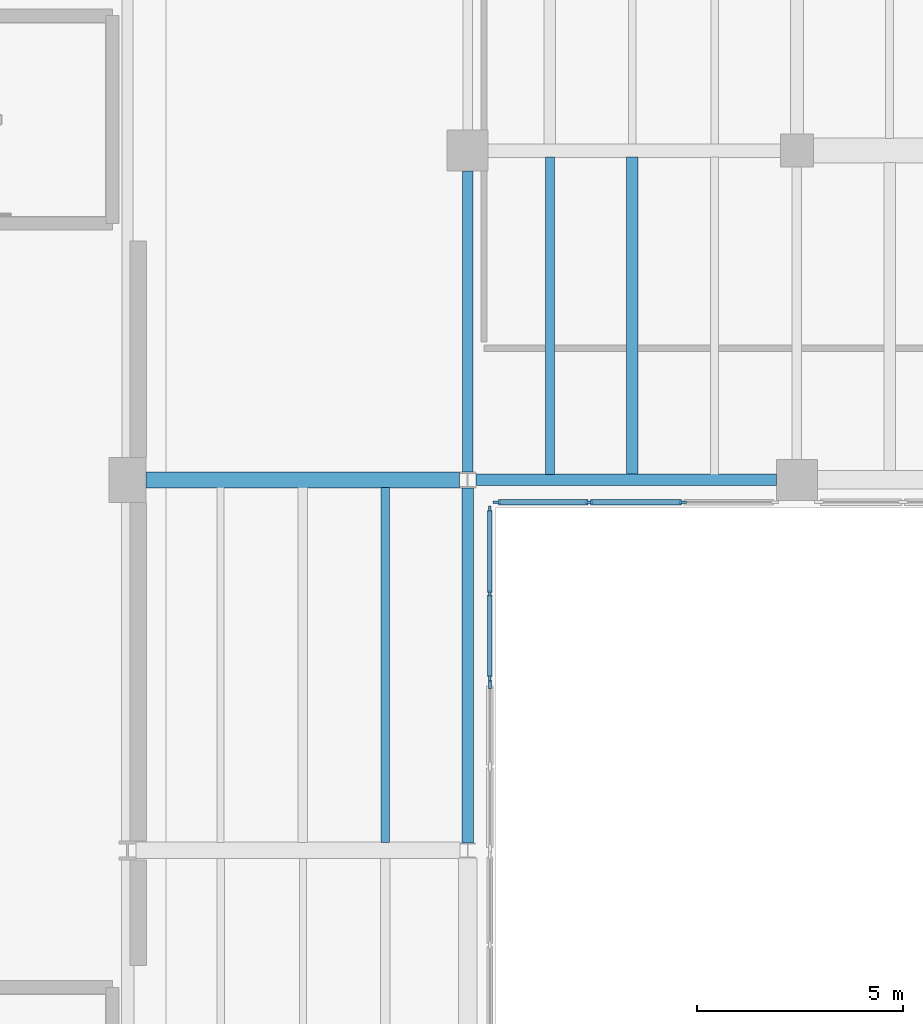
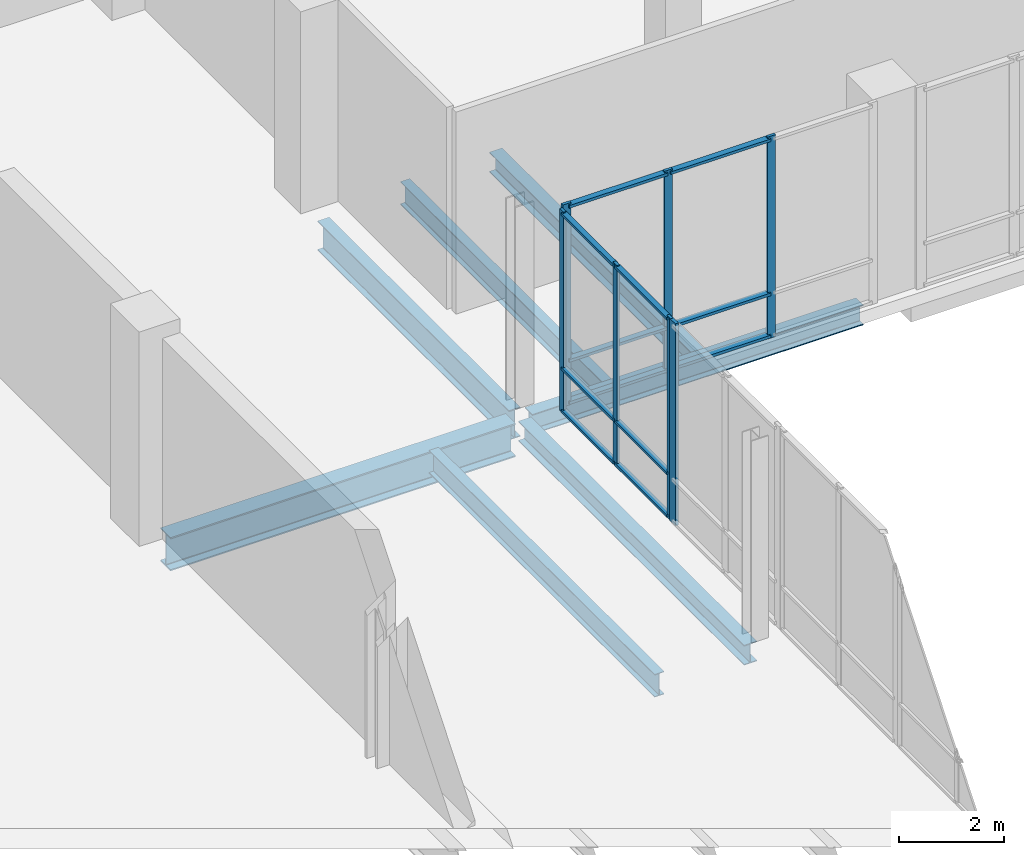
# One storey, part 38 of 73: 19 members, 7 beams, 3 elements without a shape of their own.
"""IFC4 building model written with IfcOpenShell, lengths in metres."""

from ifc_helpers import new_model, si_unit, direction, frame, origin, origin_2d, place, context, subcontext, project, spatial, rectangle, i_section, extrude, material, material_profile, profile_set, type_object, element, aggregate, save


model = new_model("IFC4")

# Units and contexts
model_context = context("Model", 3, precision=1e-05, world=origin(), true_north=direction((0.0, 1.0)))
body_context = subcontext(model_context, "Body", "Model", "MODEL_VIEW")
ifc_project = project(units=[si_unit("LENGTHUNIT", "METRE"), si_unit("AREAUNIT", "SQUARE_METRE"), si_unit("VOLUMEUNIT", "CUBIC_METRE"), si_unit("PLANEANGLEUNIT", "RADIAN"), si_unit("MASSUNIT", "GRAM", prefix="KILO")], contexts=[model_context])

# Site, building, storey
site_placement = place(None, origin())
site = spatial("IfcSite", under=ifc_project, at=site_placement, CompositionType="ELEMENT")
building_placement = place(site_placement, origin())
building = spatial("IfcBuilding", under=site, at=building_placement, Name="Trimount Lyric Opera House", CompositionType="ELEMENT")
storey_placement = place(building_placement, frame((0.0, 0.0, 10.0)))
storey = spatial("IfcBuildingStorey", under=building, at=storey_placement, Name="L02", CompositionType="ELEMENT", Elevation=10.0)

# Beams
ifc_material_1 = material(Name="Steel ASTM A992 Grade 50", Category="steel")
ifc_material_profile_1 = material_profile(ifc_material_1, i_section(OverallWidth=0.382080078125, OverallDepth=0.779052734375, WebThickness=0.01806640625, FlangeThickness=0.0302734375, FilletRadius=0.01904296875, at=origin_2d()), Name="W30X191")
ifc_profile_set_1 = profile_set([ifc_material_profile_1], Name="Steel ASTM A992 Grade 50")
beam_type_1 = type_object("IfcBeamType", Name="B-06", PredefinedType="BEAM", material=ifc_profile_set_1)
beam_1_placement = place(storey_placement, frame((114.18994140625, 102.0, -0.714599609375), z_axis=(1.0, 0.0, 0.0), x_axis=(0.0, 1.0, 0.0)))
element("IfcBeam", 1, at=beam_1_placement, inside=storey, type_object=beam_type_1, Name="L02 girder X-0794", PredefinedType="BEAM", context=body_context, shape_type="SweptSolid", body=[
    extrude(i_section(OverallWidth=0.382080078125, OverallDepth=0.779052734375, WebThickness=0.01806640625, FlangeThickness=0.0302734375, FilletRadius=0.01904296875, at=origin_2d()), origin(), (0.0, 0.0, 1.0), 7.610595703125),
])
ifc_material_2 = material(Name="Steel ASTM A992 Grade 50", Category="steel")
ifc_material_profile_2 = material_profile(ifc_material_2, i_section(OverallWidth=0.25390625, OverallDepth=0.68798828125, WebThickness=0.01318359375, FlangeThickness=0.02099609375, FilletRadius=0.01611328125, at=origin_2d()), Name="W27X102")
ifc_profile_set_2 = profile_set([ifc_material_profile_2], Name="Steel ASTM A992 Grade 50")
beam_type_2 = type_object("IfcBeamType", Name="B-09", PredefinedType="BEAM", material=ifc_profile_set_2)
beam_2_placement = place(storey_placement, frame((122.0, 102.193115234375, -0.634033203125), z_axis=(0.0, 1.0, 0.0), x_axis=(-1.0, 0.0, 0.0)))
element("IfcBeam", 2, at=beam_2_placement, inside=storey, type_object=beam_type_2, Name="L02 girder Y-0901", PredefinedType="BEAM", context=body_context, shape_type="SweptSolid", body=[
    extrude(i_section(OverallWidth=0.25390625, OverallDepth=0.68798828125, WebThickness=0.01318359375, FlangeThickness=0.02099609375, FilletRadius=0.01611328125, at=origin_2d()), origin(), (0.0, 0.0, 1.0), 7.306884765625),
])
ifc_material_3 = material(Name="Steel ASTM A992 Grade 50", Category="steel")
ifc_material_profile_3 = material_profile(ifc_material_3, i_section(OverallWidth=0.2099609375, OverallDepth=0.532958984375, WebThickness=0.01025390625, FlangeThickness=0.015625, FilletRadius=0.012939453125, at=origin_2d()), Name="W21X62")
ifc_profile_set_3 = profile_set([ifc_material_profile_3], Name="Steel ASTM A992 Grade 50")
beam_type_3 = type_object("IfcBeamType", Name="J-02", PredefinedType="BEAM", material=ifc_profile_set_3)
beam_3_placement = place(storey_placement, frame((120.0, 93.196533203125, -0.556396484375), z_axis=(0.0, 1.0, 0.0), x_axis=(-1.0, 0.0, 0.0)))
element("IfcBeam", 3, at=beam_3_placement, inside=storey, type_object=beam_type_3, Name="L02 composite floor joist 0922", PredefinedType="BEAM", context=body_context, shape_type="SweptSolid", body=[
    extrude(i_section(OverallWidth=0.2099609375, OverallDepth=0.532958984375, WebThickness=0.01025390625, FlangeThickness=0.015625, FilletRadius=0.012939453125, at=origin_2d()), origin(), (0.0, 0.0, 1.0), 8.616455078125),
])
beam_4_placement = place(storey_placement, frame((124.0, 102.136962890625, -0.556396484375), z_axis=(0.0, 1.0, 0.0), x_axis=(-1.0, 0.0, 0.0)))
element("IfcBeam", 4, at=beam_4_placement, inside=storey, type_object=beam_type_3, Name="L02 composite floor joist 0926", PredefinedType="BEAM", context=body_context, shape_type="SweptSolid", body=[
    extrude(i_section(OverallWidth=0.2099609375, OverallDepth=0.532958984375, WebThickness=0.01025390625, FlangeThickness=0.015625, FilletRadius=0.012939453125, at=origin_2d()), origin(), (0.0, 0.0, 1.0), 7.703125),
])
ifc_material_4 = material(Name="Steel ASTM A992 Grade 50", Category="steel")
ifc_material_profile_4 = material_profile(ifc_material_4, i_section(OverallWidth=0.281982421875, OverallDepth=0.467041015625, WebThickness=0.01220703125, FlangeThickness=0.01953125, FilletRadius=0.012939453125, at=origin_2d()), Name="W18X86")
ifc_profile_set_4 = profile_set([ifc_material_profile_4], Name="Steel ASTM A992 Grade 50")
beam_type_4 = type_object("IfcBeamType", Name="J-03", PredefinedType="BEAM", material=ifc_profile_set_4)
beam_5_placement = place(storey_placement, frame((126.0, 102.136962890625, -0.5234375), z_axis=(0.0, 1.0, 0.0), x_axis=(-1.0, 0.0, 0.0)))
element("IfcBeam", 5, at=beam_5_placement, inside=storey, type_object=beam_type_4, Name="L02 composite floor joist 0927", PredefinedType="BEAM", context=body_context, shape_type="SweptSolid", body=[
    extrude(i_section(OverallWidth=0.281982421875, OverallDepth=0.467041015625, WebThickness=0.01220703125, FlangeThickness=0.01953125, FilletRadius=0.012939453125, at=origin_2d()), origin(), (0.0, 0.0, 1.0), 7.703125),
])

# Curtain wall, member
ifc_material_5 = material(Name="Thermally Broken Aluminium and Low-E Glass", Category="aluminium")
curtain_wall_type = type_object("IfcCurtainWallType", Name="CW-03", PredefinedType="NOTDEFINED", material=ifc_material_5)
curtain_wall_1_placement = place(storey_placement, origin())
curtain_wall_1 = element("IfcCurtainWall", 6, at=curtain_wall_1_placement, inside=storey, type_object=curtain_wall_type, Name="L02 curtain wall 240", PredefinedType="NOTDEFINED")
ifc_material_6 = material(Name="Anodised Aluminium 6063-T6", Category="aluminium")
ifc_material_profile_5 = material_profile(ifc_material_6, rectangle(XDim=0.070068359375, YDim=0.219970703125, at=origin_2d()), Name="ALU-MULL-70X220")
ifc_profile_set_5 = profile_set([ifc_material_profile_5], Name="Anodised Aluminium 6063-T6")
member_type_1 = type_object("IfcMemberType", Name="ML-01", PredefinedType="MULLION", material=ifc_profile_set_5)
member_1_placement = place(storey_placement, frame((122.5400390625, 97.034912109375, 0.0), z_axis=(0.0, 0.0, 1.0), x_axis=(1.0, 0.0, 0.0)))
member_1 = element("IfcMember", 7, at=member_1_placement, type_object=member_type_1, Name="CW-03 mullion 1", PredefinedType="MULLION", context=body_context, shape_type="SweptSolid", body=[
    extrude(rectangle(XDim=0.070068359375, YDim=0.219970703125, at=origin_2d()), origin(), (0.0, 0.0, 1.0), 4.7099609375),
])
aggregate(curtain_wall_1, [member_1])

# Curtain wall, members
curtain_wall_2_placement = place(storey_placement, origin())
curtain_wall_2 = element("IfcCurtainWall", 8, at=curtain_wall_2_placement, inside=storey, type_object=curtain_wall_type, Name="L02 curtain wall 238", PredefinedType="NOTDEFINED")
ifc_material_7 = material(Name="Anodised Aluminium 6063-T6", Category="aluminium")
ifc_material_profile_6 = material_profile(ifc_material_7, rectangle(XDim=0.06494140625, YDim=0.179931640625, at=origin_2d()), Name="ALU-MULL-65X180")
ifc_profile_set_6 = profile_set([ifc_material_profile_6], Name="Anodised Aluminium 6063-T6")
member_type_2 = type_object("IfcMemberType", Name="ML-02", PredefinedType="MULLION", material=ifc_profile_set_6)
member_2_placement = place(storey_placement, frame((127.2265625, 101.4599609375, 0.0), z_axis=(0.0, 0.0, 1.0), x_axis=(0.0, -1.0, 0.0)))
member_2 = element("IfcMember", 9, at=member_2_placement, type_object=member_type_2, Name="CW-03 mullion 2", PredefinedType="MULLION", context=body_context, shape_type="SweptSolid", body=[
    extrude(rectangle(XDim=0.06494140625, YDim=0.179931640625, at=origin_2d()), origin(), (0.0, 0.0, 1.0), 4.7099609375),
])
member_3_placement = place(storey_placement, frame((124.953369140625, 101.4599609375, 0.0), z_axis=(0.0, 0.0, 1.0), x_axis=(0.0, -1.0, 0.0)))
member_3 = element("IfcMember", 10, at=member_3_placement, type_object=member_type_2, Name="CW-03 mullion 3", PredefinedType="MULLION", context=body_context, shape_type="SweptSolid", body=[
    extrude(rectangle(XDim=0.06494140625, YDim=0.179931640625, at=origin_2d()), origin(), (0.0, 0.0, 1.0), 4.7099609375),
])
member_4_placement = place(storey_placement, frame((122.71240234375, 101.4599609375, 0.0), z_axis=(0.0, 0.0, 1.0), x_axis=(0.0, -1.0, 0.0)))
member_4 = element("IfcMember", 11, at=member_4_placement, type_object=member_type_2, Name="CW-03 mullion 4", PredefinedType="MULLION", context=body_context, shape_type="SweptSolid", body=[
    extrude(rectangle(XDim=0.06494140625, YDim=0.179931640625, at=origin_2d()), origin(), (0.0, 0.0, 1.0), 4.7099609375),
])

curtain_wall_3_placement = place(storey_placement, origin())
curtain_wall_3 = element("IfcCurtainWall", 12, at=curtain_wall_3_placement, inside=storey, type_object=curtain_wall_type, Name="L02 curtain wall 239", PredefinedType="NOTDEFINED")
ifc_material_8 = material(Name="Anodised Aluminium 6063-T6", Category="aluminium")
ifc_material_profile_7 = material_profile(ifc_material_8, rectangle(XDim=0.06005859375, YDim=0.14990234375, at=origin_2d()), Name="ALU-MULL-60X150")
ifc_profile_set_7 = profile_set([ifc_material_profile_7], Name="Anodised Aluminium 6063-T6")
member_type_3 = type_object("IfcMemberType", Name="ML-03", PredefinedType="MULLION", material=ifc_profile_set_7)
member_5_placement = place(storey_placement, frame((122.5400390625, 101.2900390625, 0.0), z_axis=(0.0, 0.0, 1.0), x_axis=(1.0, 0.0, 0.0)))
member_5 = element("IfcMember", 13, at=member_5_placement, type_object=member_type_3, Name="CW-03 mullion 1", PredefinedType="MULLION", context=body_context, shape_type="SweptSolid", body=[
    extrude(rectangle(XDim=0.06005859375, YDim=0.14990234375, at=origin_2d()), origin(), (0.0, 0.0, 1.0), 4.7099609375),
])
member_6_placement = place(storey_placement, frame((122.5400390625, 99.239990234375, 0.0), z_axis=(0.0, 0.0, 1.0), x_axis=(1.0, 0.0, 0.0)))
member_6 = element("IfcMember", 14, at=member_6_placement, type_object=member_type_3, Name="CW-03 mullion 2", PredefinedType="MULLION", context=body_context, shape_type="SweptSolid", body=[
    extrude(rectangle(XDim=0.06005859375, YDim=0.14990234375, at=origin_2d()), origin(), (0.0, 0.0, 1.0), 4.7099609375),
])
member_7_placement = place(storey_placement, frame((122.5400390625, 97.18994140625, 0.0), z_axis=(0.0, 0.0, 1.0), x_axis=(1.0, 0.0, 0.0)))
member_7 = element("IfcMember", 15, at=member_7_placement, type_object=member_type_3, Name="CW-03 mullion 3", PredefinedType="MULLION", context=body_context, shape_type="SweptSolid", body=[
    extrude(rectangle(XDim=0.06005859375, YDim=0.14990234375, at=origin_2d()), origin(), (0.0, 0.0, 1.0), 4.7099609375),
])

# Beams
ifc_material_9 = material(Name="Steel ASTM A992 Grade 50", Category="steel")
ifc_material_profile_8 = material_profile(ifc_material_9, i_section(OverallWidth=0.281982421875, OverallDepth=0.467041015625, WebThickness=0.01220703125, FlangeThickness=0.01953125, FilletRadius=0.012939453125, at=origin_2d()), Name="W18X86")
ifc_profile_set_8 = profile_set([ifc_material_profile_8], Name="Steel ASTM A992 Grade 50")
beam_type_5 = type_object("IfcBeamType", Name="SP-01", PredefinedType="SPANDREL", material=ifc_profile_set_8)
beam_6_placement = place(storey_placement, frame((122.199462890625, 102.0, -0.5234375), z_axis=(1.0, 0.0, 0.0), x_axis=(0.0, 1.0, 0.0)))
element("IfcBeam", 16, at=beam_6_placement, inside=storey, type_object=beam_type_5, Name="L02 girder X-0795", PredefinedType="SPANDREL", context=body_context, shape_type="SweptSolid", body=[
    extrude(i_section(OverallWidth=0.281982421875, OverallDepth=0.467041015625, WebThickness=0.01220703125, FlangeThickness=0.01953125, FilletRadius=0.012939453125, at=origin_2d()), origin(), (0.0, 0.0, 1.0), 7.300537109375),
])
beam_7_placement = place(storey_placement, frame((122.0, 93.18408203125, -0.5234375), z_axis=(0.0, 1.0, 0.0), x_axis=(-1.0, 0.0, 0.0)))
element("IfcBeam", 17, at=beam_7_placement, inside=storey, type_object=beam_type_5, Name="L02 girder Y-0900", PredefinedType="SPANDREL", context=body_context, shape_type="SweptSolid", body=[
    extrude(i_section(OverallWidth=0.281982421875, OverallDepth=0.467041015625, WebThickness=0.01220703125, FlangeThickness=0.01953125, FilletRadius=0.012939453125, at=origin_2d()), origin(), (0.0, 0.0, 1.0), 8.622802734375),
])

# Member
ifc_material_10 = material(Name="Anodised Aluminium 6063-T6", Category="aluminium")
ifc_material_profile_9 = material_profile(ifc_material_10, rectangle(XDim=0.135009765625, YDim=0.06494140625, at=origin_2d()), Name="ALU-TRAN-65X135")
ifc_profile_set_9 = profile_set([ifc_material_profile_9], Name="Anodised Aluminium 6063-T6")
member_type_4 = type_object("IfcMemberType", Name="TR-02", PredefinedType="USERDEFINED", material=ifc_profile_set_9)
member_8_placement = place(storey_placement, frame((127.194091796875, 101.4599609375, 0.0673828125), z_axis=(-1.0, 0.0, 0.0), x_axis=(0.0, -1.0, 0.0)))
member_8 = element("IfcMember", 18, at=member_8_placement, type_object=member_type_4, Name="CW-03 transom 2.1", ObjectType="TRANSOM", PredefinedType="USERDEFINED", context=body_context, shape_type="SweptSolid", body=[
    extrude(rectangle(XDim=0.135009765625, YDim=0.06494140625, at=origin_2d()), origin(), (0.0, 0.0, 1.0), 2.208251953125),
])

member_9_placement = place(storey_placement, frame((127.194091796875, 101.4599609375, 1.050048828125), z_axis=(-1.0, 0.0, 0.0), x_axis=(0.0, -1.0, 0.0)))
member_9 = element("IfcMember", 19, at=member_9_placement, type_object=member_type_4, Name="CW-03 transom 2.2", ObjectType="TRANSOM", PredefinedType="USERDEFINED", context=body_context, shape_type="SweptSolid", body=[
    extrude(rectangle(XDim=0.135009765625, YDim=0.06494140625, at=origin_2d()), origin(), (0.0, 0.0, 1.0), 2.208251953125),
])

member_10_placement = place(storey_placement, frame((127.194091796875, 101.4599609375, 4.642578125), z_axis=(-1.0, 0.0, 0.0), x_axis=(0.0, -1.0, 0.0)))
member_10 = element("IfcMember", 20, at=member_10_placement, type_object=member_type_4, Name="CW-03 transom 2.3", ObjectType="TRANSOM", PredefinedType="USERDEFINED", context=body_context, shape_type="SweptSolid", body=[
    extrude(rectangle(XDim=0.135009765625, YDim=0.06494140625, at=origin_2d()), origin(), (0.0, 0.0, 1.0), 2.208251953125),
])

member_11_placement = place(storey_placement, frame((124.9208984375, 101.4599609375, 0.0673828125), z_axis=(-1.0, 0.0, 0.0), x_axis=(0.0, -1.0, 0.0)))
member_11 = element("IfcMember", 21, at=member_11_placement, type_object=member_type_4, Name="CW-03 transom 3.1", ObjectType="TRANSOM", PredefinedType="USERDEFINED", context=body_context, shape_type="SweptSolid", body=[
    extrude(rectangle(XDim=0.135009765625, YDim=0.06494140625, at=origin_2d()), origin(), (0.0, 0.0, 1.0), 2.17578125),
])

member_12_placement = place(storey_placement, frame((124.9208984375, 101.4599609375, 1.050048828125), z_axis=(-1.0, 0.0, 0.0), x_axis=(0.0, -1.0, 0.0)))
member_12 = element("IfcMember", 22, at=member_12_placement, type_object=member_type_4, Name="CW-03 transom 3.2", ObjectType="TRANSOM", PredefinedType="USERDEFINED", context=body_context, shape_type="SweptSolid", body=[
    extrude(rectangle(XDim=0.135009765625, YDim=0.06494140625, at=origin_2d()), origin(), (0.0, 0.0, 1.0), 2.17578125),
])

member_13_placement = place(storey_placement, frame((124.9208984375, 101.4599609375, 4.642578125), z_axis=(-1.0, 0.0, 0.0), x_axis=(0.0, -1.0, 0.0)))
member_13 = element("IfcMember", 23, at=member_13_placement, type_object=member_type_4, Name="CW-03 transom 3.3", ObjectType="TRANSOM", PredefinedType="USERDEFINED", context=body_context, shape_type="SweptSolid", body=[
    extrude(rectangle(XDim=0.135009765625, YDim=0.06494140625, at=origin_2d()), origin(), (0.0, 0.0, 1.0), 2.17578125),
])

aggregate(curtain_wall_2, [member_2, member_3, member_4, member_8, member_9, member_10, member_11, member_12, member_13])

ifc_material_11 = material(Name="Anodised Aluminium 6063-T6", Category="aluminium")
ifc_material_profile_10 = material_profile(ifc_material_11, rectangle(XDim=0.114990234375, YDim=0.06005859375, at=origin_2d()), Name="ALU-TRAN-60X115")
ifc_profile_set_10 = profile_set([ifc_material_profile_10], Name="Anodised Aluminium 6063-T6")
member_type_5 = type_object("IfcMemberType", Name="TR-03", PredefinedType="USERDEFINED", material=ifc_profile_set_10)
member_14_placement = place(storey_placement, frame((122.5400390625, 101.260009765625, 0.0576171875), z_axis=(0.0, -1.0, 0.0), x_axis=(1.0, 0.0, 0.0)))
member_14 = element("IfcMember", 24, at=member_14_placement, type_object=member_type_5, Name="CW-03 transom 1.1", ObjectType="TRANSOM", PredefinedType="USERDEFINED", context=body_context, shape_type="SweptSolid", body=[
    extrude(rectangle(XDim=0.114990234375, YDim=0.06005859375, at=origin_2d()), origin(), (0.0, 0.0, 1.0), 1.989990234375),
])

member_15_placement = place(storey_placement, frame((122.5400390625, 101.260009765625, 1.050048828125), z_axis=(0.0, -1.0, 0.0), x_axis=(1.0, 0.0, 0.0)))
member_15 = element("IfcMember", 25, at=member_15_placement, type_object=member_type_5, Name="CW-03 transom 1.2", ObjectType="TRANSOM", PredefinedType="USERDEFINED", context=body_context, shape_type="SweptSolid", body=[
    extrude(rectangle(XDim=0.114990234375, YDim=0.06005859375, at=origin_2d()), origin(), (0.0, 0.0, 1.0), 1.989990234375),
])

member_16_placement = place(storey_placement, frame((122.5400390625, 101.260009765625, 4.652587890625), z_axis=(0.0, -1.0, 0.0), x_axis=(1.0, 0.0, 0.0)))
member_16 = element("IfcMember", 26, at=member_16_placement, type_object=member_type_5, Name="CW-03 transom 1.3", ObjectType="TRANSOM", PredefinedType="USERDEFINED", context=body_context, shape_type="SweptSolid", body=[
    extrude(rectangle(XDim=0.114990234375, YDim=0.06005859375, at=origin_2d()), origin(), (0.0, 0.0, 1.0), 1.989990234375),
])

member_17_placement = place(storey_placement, frame((122.5400390625, 99.2099609375, 0.0576171875), z_axis=(0.0, -1.0, 0.0), x_axis=(1.0, 0.0, 0.0)))
member_17 = element("IfcMember", 27, at=member_17_placement, type_object=member_type_5, Name="CW-03 transom 2.1", ObjectType="TRANSOM", PredefinedType="USERDEFINED", context=body_context, shape_type="SweptSolid", body=[
    extrude(rectangle(XDim=0.114990234375, YDim=0.06005859375, at=origin_2d()), origin(), (0.0, 0.0, 1.0), 1.989990234375),
])

member_18_placement = place(storey_placement, frame((122.5400390625, 99.2099609375, 1.050048828125), z_axis=(0.0, -1.0, 0.0), x_axis=(1.0, 0.0, 0.0)))
member_18 = element("IfcMember", 28, at=member_18_placement, type_object=member_type_5, Name="CW-03 transom 2.2", ObjectType="TRANSOM", PredefinedType="USERDEFINED", context=body_context, shape_type="SweptSolid", body=[
    extrude(rectangle(XDim=0.114990234375, YDim=0.06005859375, at=origin_2d()), origin(), (0.0, 0.0, 1.0), 1.989990234375),
])

member_19_placement = place(storey_placement, frame((122.5400390625, 99.2099609375, 4.652587890625), z_axis=(0.0, -1.0, 0.0), x_axis=(1.0, 0.0, 0.0)))
member_19 = element("IfcMember", 29, at=member_19_placement, type_object=member_type_5, Name="CW-03 transom 2.3", ObjectType="TRANSOM", PredefinedType="USERDEFINED", context=body_context, shape_type="SweptSolid", body=[
    extrude(rectangle(XDim=0.114990234375, YDim=0.06005859375, at=origin_2d()), origin(), (0.0, 0.0, 1.0), 1.989990234375),
])

aggregate(curtain_wall_3, [member_5, member_6, member_7, member_14, member_15, member_16, member_17, member_18, member_19])

save(model, "model.ifc")
